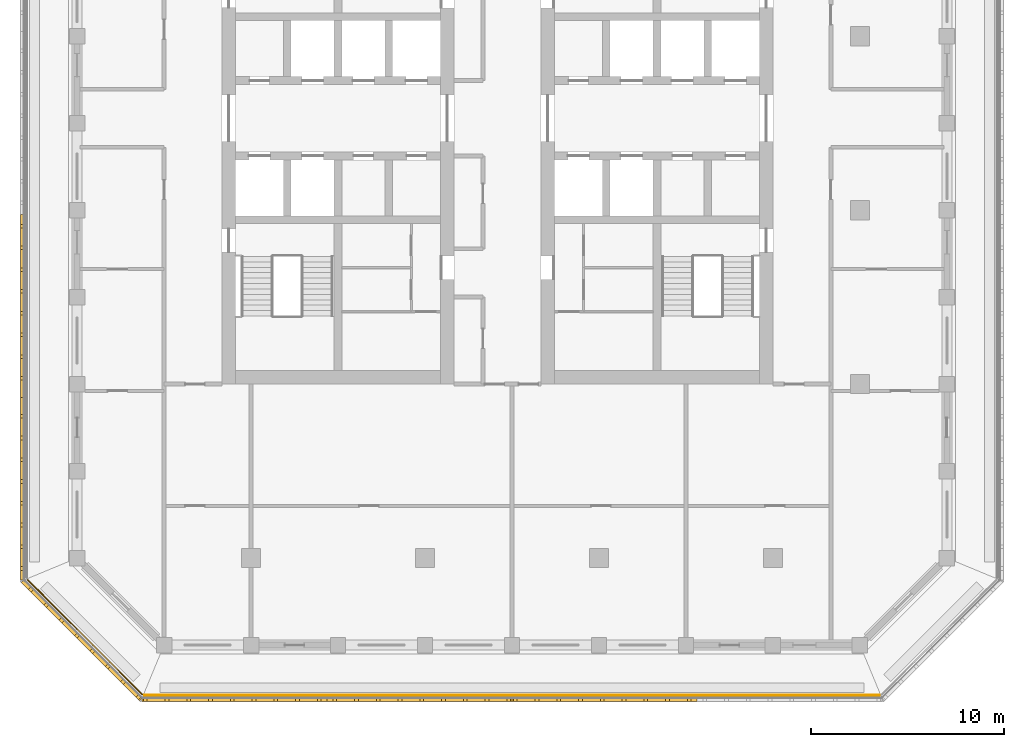
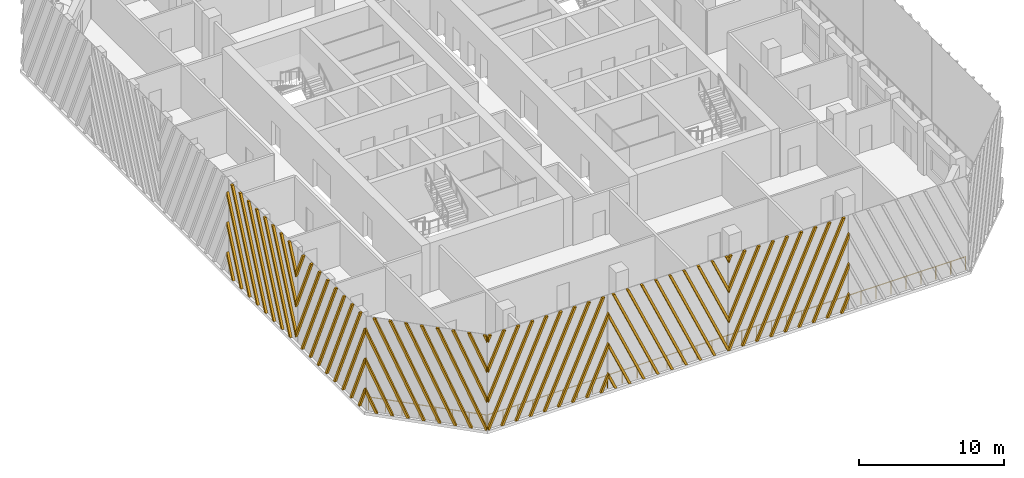
# One storey, part 9 of 17: 6 shading devices, 2 railings.
"""IFC4 building model written with IfcOpenShell, lengths in metres."""

from ifc_helpers import new_model, si_unit, direction, frame, origin, origin_2d, place, context, subcontext, project, spatial, polyline, circle, outline, extrude, source, transform, mapped, material, type_object, element, save


model = new_model("IFC4")

# Units and contexts
model_context = context("Model", 3, precision=1e-05, world=origin(), true_north=direction((0.0, 1.0)))
body_context = subcontext(model_context, "Body", "Model", "MODEL_VIEW")
ifc_project = project(units=[si_unit("LENGTHUNIT", "METRE"), si_unit("AREAUNIT", "SQUARE_METRE"), si_unit("VOLUMEUNIT", "CUBIC_METRE"), si_unit("PLANEANGLEUNIT", "RADIAN"), si_unit("MASSUNIT", "GRAM", prefix="KILO")], contexts=[model_context])

# Site, building, storey
site_placement = place(None, origin())
site = spatial("IfcSite", under=ifc_project, at=site_placement, CompositionType="ELEMENT")
building_placement = place(site_placement, origin())
building = spatial("IfcBuilding", under=site, at=building_placement, Name="Corbel Stack Research Tower", CompositionType="ELEMENT")
storey_placement = place(building_placement, frame((0.0, 0.0, 239.800048828125)))
storey = spatial("IfcBuildingStorey", under=building, at=storey_placement, Name="L54", CompositionType="ELEMENT", Elevation=239.800048828125)

# Railings
ifc_material_1 = material(Name="Powder-coated steel guard", Category="steel")
railing_type = type_object("IfcRailingType", Name="Steel and glass guard 1100", PredefinedType="GUARDRAIL", material=ifc_material_1)
railing_1_placement = place(storey_placement, frame((-14.50537109375, -25.10009765625, 0.0)))
element("IfcRailing", 1, at=railing_1_placement, inside=storey, type_object=railing_type, Name="Loggia guard L54 S", PredefinedType="GUARDRAIL", context=body_context, shape_type="SweptSolid", body=[
    extrude(circle(Radius=0.02392578125, at=origin_2d()), frame((0.0, 0.0, 1.076171875), z_axis=(1.0, 0.0, 0.0), x_axis=(0.0, 1.0, 0.0)), (0.0, 0.0, 1.0), 38.0107421875),
    extrude(circle(Radius=0.02099609375, at=origin_2d()), origin(), (0.0, 0.0, 1.0), 1.052001953125),
    extrude(circle(Radius=0.02099609375, at=origin_2d()), frame((1.187744140625, 0.0, 0.0)), (0.0, 0.0, 1.0), 1.052001953125),
    extrude(circle(Radius=0.02099609375, at=origin_2d()), frame((2.375732421875, 0.0, 0.0)), (0.0, 0.0, 1.0), 1.052001953125),
    extrude(circle(Radius=0.02099609375, at=origin_2d()), frame((3.5634765625, 0.0, 0.0)), (0.0, 0.0, 1.0), 1.052001953125),
    extrude(circle(Radius=0.02099609375, at=origin_2d()), frame((4.75146484375, 0.0, 0.0)), (0.0, 0.0, 1.0), 1.052001953125),
    extrude(circle(Radius=0.02099609375, at=origin_2d()), frame((5.939208984375, 0.0, 0.0)), (0.0, 0.0, 1.0), 1.052001953125),
    extrude(circle(Radius=0.02099609375, at=origin_2d()), frame((7.126953125, 0.0, 0.0)), (0.0, 0.0, 1.0), 1.052001953125),
    extrude(circle(Radius=0.02099609375, at=origin_2d()), frame((8.31494140625, 0.0, 0.0)), (0.0, 0.0, 1.0), 1.052001953125),
    extrude(circle(Radius=0.02099609375, at=origin_2d()), frame((9.502685546875, 0.0, 0.0)), (0.0, 0.0, 1.0), 1.052001953125),
    extrude(circle(Radius=0.02099609375, at=origin_2d()), frame((10.6904296875, 0.0, 0.0)), (0.0, 0.0, 1.0), 1.052001953125),
    extrude(circle(Radius=0.02099609375, at=origin_2d()), frame((11.87841796875, 0.0, 0.0)), (0.0, 0.0, 1.0), 1.052001953125),
    extrude(circle(Radius=0.02099609375, at=origin_2d()), frame((13.066162109375, 0.0, 0.0)), (0.0, 0.0, 1.0), 1.052001953125),
    extrude(circle(Radius=0.02099609375, at=origin_2d()), frame((14.25390625, 0.0, 0.0)), (0.0, 0.0, 1.0), 1.052001953125),
    extrude(circle(Radius=0.02099609375, at=origin_2d()), frame((15.44189453125, 0.0, 0.0)), (0.0, 0.0, 1.0), 1.052001953125),
    extrude(circle(Radius=0.02099609375, at=origin_2d()), frame((16.629638671875, 0.0, 0.0)), (0.0, 0.0, 1.0), 1.052001953125),
    extrude(circle(Radius=0.02099609375, at=origin_2d()), frame((17.817626953125, 0.0, 0.0)), (0.0, 0.0, 1.0), 1.052001953125),
    extrude(circle(Radius=0.02099609375, at=origin_2d()), frame((19.00537109375, 0.0, 0.0)), (0.0, 0.0, 1.0), 1.052001953125),
    extrude(circle(Radius=0.02099609375, at=origin_2d()), frame((20.193115234375, 0.0, 0.0)), (0.0, 0.0, 1.0), 1.052001953125),
    extrude(circle(Radius=0.02099609375, at=origin_2d()), frame((21.381103515625, 0.0, 0.0)), (0.0, 0.0, 1.0), 1.052001953125),
    extrude(circle(Radius=0.02099609375, at=origin_2d()), frame((22.56884765625, 0.0, 0.0)), (0.0, 0.0, 1.0), 1.052001953125),
    extrude(circle(Radius=0.02099609375, at=origin_2d()), frame((23.7568359375, 0.0, 0.0)), (0.0, 0.0, 1.0), 1.052001953125),
    extrude(circle(Radius=0.02099609375, at=origin_2d()), frame((24.944580078125, 0.0, 0.0)), (0.0, 0.0, 1.0), 1.052001953125),
    extrude(circle(Radius=0.02099609375, at=origin_2d()), frame((26.13232421875, 0.0, 0.0)), (0.0, 0.0, 1.0), 1.052001953125),
    extrude(circle(Radius=0.02099609375, at=origin_2d()), frame((27.3203125, 0.0, 0.0)), (0.0, 0.0, 1.0), 1.052001953125),
    extrude(circle(Radius=0.02099609375, at=origin_2d()), frame((28.508056640625, 0.0, 0.0)), (0.0, 0.0, 1.0), 1.052001953125),
    extrude(circle(Radius=0.02099609375, at=origin_2d()), frame((29.69580078125, 0.0, 0.0)), (0.0, 0.0, 1.0), 1.052001953125),
    extrude(circle(Radius=0.02099609375, at=origin_2d()), frame((30.8837890625, 0.0, 0.0)), (0.0, 0.0, 1.0), 1.052001953125),
    extrude(circle(Radius=0.02099609375, at=origin_2d()), frame((32.071533203125, 0.0, 0.0)), (0.0, 0.0, 1.0), 1.052001953125),
    extrude(circle(Radius=0.02099609375, at=origin_2d()), frame((33.25927734375, 0.0, 0.0)), (0.0, 0.0, 1.0), 1.052001953125),
    extrude(circle(Radius=0.02099609375, at=origin_2d()), frame((34.447265625, 0.0, 0.0)), (0.0, 0.0, 1.0), 1.052001953125),
    extrude(circle(Radius=0.02099609375, at=origin_2d()), frame((35.635009765625, 0.0, 0.0)), (0.0, 0.0, 1.0), 1.052001953125),
    extrude(circle(Radius=0.02099609375, at=origin_2d()), frame((36.822998046875, 0.0, 0.0)), (0.0, 0.0, 1.0), 1.052001953125),
    extrude(circle(Radius=0.02099609375, at=origin_2d()), frame((38.0107421875, 0.0, 0.0)), (0.0, 0.0, 1.0), 1.052001953125),
])
railing_2_placement = place(storey_placement, frame((-20.54931640625, -19.127685546875, 0.0)))
element("IfcRailing", 2, at=railing_2_placement, inside=storey, type_object=railing_type, Name="Loggia guard L54 SW", PredefinedType="GUARDRAIL", context=body_context, shape_type="SweptSolid", body=[
    extrude(circle(Radius=0.02392578125, at=origin_2d()), frame((0.0, 0.0, 1.076171875), z_axis=(0.707106781187, -0.707106781187, 0.0), x_axis=(0.707106781187, 0.707106781187, 0.0)), (0.0, 0.0, 1.0), 8.37451171875),
    extrude(circle(Radius=0.02099609375, at=origin_2d()), origin(), (0.0, 0.0, 1.0), 1.052001953125),
    extrude(circle(Radius=0.02099609375, at=origin_2d()), frame((0.845947265625, -0.845947265625, 0.0)), (0.0, 0.0, 1.0), 1.052001953125),
    extrude(circle(Radius=0.02099609375, at=origin_2d()), frame((1.69189453125, -1.69189453125, 0.0)), (0.0, 0.0, 1.0), 1.052001953125),
    extrude(circle(Radius=0.02099609375, at=origin_2d()), frame((2.537841796875, -2.537841796875, 0.0)), (0.0, 0.0, 1.0), 1.052001953125),
    extrude(circle(Radius=0.02099609375, at=origin_2d()), frame((3.3837890625, -3.3837890625, 0.0)), (0.0, 0.0, 1.0), 1.052001953125),
    extrude(circle(Radius=0.02099609375, at=origin_2d()), frame((4.229736328125, -4.229736328125, 0.0)), (0.0, 0.0, 1.0), 1.052001953125),
    extrude(circle(Radius=0.02099609375, at=origin_2d()), frame((5.07568359375, -5.07568359375, 0.0)), (0.0, 0.0, 1.0), 1.052001953125),
    extrude(circle(Radius=0.02099609375, at=origin_2d()), frame((5.921630859375, -5.921630859375, 0.0)), (0.0, 0.0, 1.0), 1.052001953125),
])

# Shading devices
ifc_material_2 = material(Name="Precast terracotta", Category="masonry")
shading_device_type = type_object("IfcShadingDeviceType", Name="Terracotta screen panel", PredefinedType="USERDEFINED", material=ifc_material_2)
shared_shape_1 = source(origin(), body_context, "Body", "SweptSolid", [
    extrude(outline(polyline([(0.259521484375, 7.949951171875), (0.069580078125, 7.949951171875), (0.0, 7.793701171875), (0.0, 7.366943359375), (0.259521484375, 7.949951171875)])), frame((0.0, 0.0, 0.0), z_axis=(0.0, -1.0, 0.0), x_axis=(1.0, 0.0, 0.0)), (0.0, 0.0, 1.0), 0.179931640625),
    extrude(outline(polyline([(1.384521484375, 7.949951171875), (1.194580078125, 7.949951171875), (0.0, 5.26708984375), (0.0, 4.840087890625), (1.384521484375, 7.949951171875)])), frame((0.0, 0.0, 0.0), z_axis=(0.0, -1.0, 0.0), x_axis=(1.0, 0.0, 0.0)), (0.0, 0.0, 1.0), 0.179931640625),
    extrude(outline(polyline([(2.509521484375, 7.949951171875), (2.319580078125, 7.949951171875), (0.0, 2.740234375), (0.0, 2.3134765625), (2.509521484375, 7.949951171875)])), frame((0.0, 0.0, 0.0), z_axis=(0.0, -1.0, 0.0), x_axis=(1.0, 0.0, 0.0)), (0.0, 0.0, 1.0), 0.179931640625),
    extrude(outline(polyline([(0.094970703125, 0.0), (3.634521484375, 7.949951171875), (3.444580078125, 7.949951171875), (0.0, 0.21337890625), (0.0, 0.0), (0.094970703125, 0.0)])), frame((0.0, 0.0, 0.0), z_axis=(0.0, -1.0, 0.0), x_axis=(1.0, 0.0, 0.0)), (0.0, 0.0, 1.0), 0.179931640625),
    extrude(outline(polyline([(1.219970703125, 0.0), (4.759521484375, 7.949951171875), (4.569580078125, 7.949951171875), (1.030029296875, 0.0), (1.219970703125, 0.0)])), frame((0.0, 0.0, 0.0), z_axis=(0.0, -1.0, 0.0), x_axis=(1.0, 0.0, 0.0)), (0.0, 0.0, 1.0), 0.179931640625),
    extrude(outline(polyline([(2.344970703125, 0.0), (5.884521484375, 7.949951171875), (5.694580078125, 7.949951171875), (2.155029296875, 0.0), (2.344970703125, 0.0)])), frame((0.0, 0.0, 0.0), z_axis=(0.0, -1.0, 0.0), x_axis=(1.0, 0.0, 0.0)), (0.0, 0.0, 1.0), 0.179931640625),
    extrude(outline(polyline([(3.469970703125, 0.0), (7.009521484375, 7.949951171875), (6.819580078125, 7.949951171875), (3.280029296875, 0.0), (3.469970703125, 0.0)])), frame((0.0, 0.0, 0.0), z_axis=(0.0, -1.0, 0.0), x_axis=(1.0, 0.0, 0.0)), (0.0, 0.0, 1.0), 0.179931640625),
    extrude(outline(polyline([(4.594970703125, 0.0), (8.134521484375, 7.949951171875), (7.944580078125, 7.949951171875), (4.405029296875, 0.0), (4.594970703125, 0.0)])), frame((0.0, 0.0, 0.0), z_axis=(0.0, -1.0, 0.0), x_axis=(1.0, 0.0, 0.0)), (0.0, 0.0, 1.0), 0.179931640625),
    extrude(outline(polyline([(5.719970703125, 0.0), (9.259521484375, 7.949951171875), (9.069580078125, 7.949951171875), (5.530029296875, 0.0), (5.719970703125, 0.0)])), frame((0.0, 0.0, 0.0), z_axis=(0.0, -1.0, 0.0), x_axis=(1.0, 0.0, 0.0)), (0.0, 0.0, 1.0), 0.179931640625),
    extrude(outline(polyline([(6.844970703125, 0.0), (9.569580078125, 6.119384765625), (9.569580078125, 6.546142578125), (6.655029296875, 0.0), (6.844970703125, 0.0)])), frame((0.0, 0.0, 0.0), z_axis=(0.0, -1.0, 0.0), x_axis=(1.0, 0.0, 0.0)), (0.0, 0.0, 1.0), 0.179931640625),
    extrude(outline(polyline([(7.969970703125, 0.0), (9.569580078125, 3.592529296875), (9.569580078125, 4.019287109375), (7.780029296875, 0.0), (7.969970703125, 0.0)])), frame((0.0, 0.0, 0.0), z_axis=(0.0, -1.0, 0.0), x_axis=(1.0, 0.0, 0.0)), (0.0, 0.0, 1.0), 0.179931640625),
    extrude(outline(polyline([(9.094970703125, 0.0), (9.569580078125, 1.06591796875), (9.569580078125, 1.49267578125), (8.905029296875, 0.0), (9.094970703125, 0.0)])), frame((0.0, 0.0, 0.0), z_axis=(0.0, -1.0, 0.0), x_axis=(1.0, 0.0, 0.0)), (0.0, 0.0, 1.0), 0.179931640625),
])
for number, where, z_axis, x_axis, name in (
    (3, (-14.63916015625, -25.25, 0.0), (0.0, 0.0, 1.0), (1.0, 0.0, 0.0), "Terracotta screen L54 S1"),
    (4, (4.5, -25.25, 0.0), (0.0, 0.0, 1.0), (1.0, 0.0, 0.0), "Terracotta screen L54 S3"),
):
    element("IfcShadingDevice", number, at=place(storey_placement, frame(where, z_axis=z_axis, x_axis=x_axis)), inside=storey, type_object=shading_device_type, Name=name, ObjectType="SCREEN", PredefinedType="USERDEFINED", context=body_context, shape_type="MappedRepresentation", body=[
        mapped(shared_shape_1, transform((0.0, 0.0, 0.0))),
    ])
shared_shape_2 = source(origin(), body_context, "Body", "SweptSolid", [
    extrude(outline(polyline([(0.66455078125, 0.0), (0.0, 1.49267578125), (0.0, 1.06591796875), (0.474609375, 0.0), (0.66455078125, 0.0)])), frame((0.0, 0.0, 0.0), z_axis=(0.0, -1.0, 0.0), x_axis=(1.0, 0.0, 0.0)), (0.0, 0.0, 1.0), 0.179931640625),
    extrude(outline(polyline([(1.78955078125, 0.0), (0.0, 4.019287109375), (0.0, 3.592529296875), (1.599609375, 0.0), (1.78955078125, 0.0)])), frame((0.0, 0.0, 0.0), z_axis=(0.0, -1.0, 0.0), x_axis=(1.0, 0.0, 0.0)), (0.0, 0.0, 1.0), 0.179931640625),
    extrude(outline(polyline([(2.91455078125, 0.0), (0.0, 6.546142578125), (0.0, 6.119384765625), (2.724609375, 0.0), (2.91455078125, 0.0)])), frame((0.0, 0.0, 0.0), z_axis=(0.0, -1.0, 0.0), x_axis=(1.0, 0.0, 0.0)), (0.0, 0.0, 1.0), 0.179931640625),
    extrude(outline(polyline([(4.03955078125, 0.0), (0.5, 7.949951171875), (0.31005859375, 7.949951171875), (3.849609375, 0.0), (4.03955078125, 0.0)])), frame((0.0, 0.0, 0.0), z_axis=(0.0, -1.0, 0.0), x_axis=(1.0, 0.0, 0.0)), (0.0, 0.0, 1.0), 0.179931640625),
    extrude(outline(polyline([(5.16455078125, 0.0), (1.625, 7.949951171875), (1.43505859375, 7.949951171875), (4.974609375, 0.0), (5.16455078125, 0.0)])), frame((0.0, 0.0, 0.0), z_axis=(0.0, -1.0, 0.0), x_axis=(1.0, 0.0, 0.0)), (0.0, 0.0, 1.0), 0.179931640625),
    extrude(outline(polyline([(6.28955078125, 0.0), (2.75, 7.949951171875), (2.56005859375, 7.949951171875), (6.099609375, 0.0), (6.28955078125, 0.0)])), frame((0.0, 0.0, 0.0), z_axis=(0.0, -1.0, 0.0), x_axis=(1.0, 0.0, 0.0)), (0.0, 0.0, 1.0), 0.179931640625),
    extrude(outline(polyline([(7.41455078125, 0.0), (3.875, 7.949951171875), (3.68505859375, 7.949951171875), (7.224609375, 0.0), (7.41455078125, 0.0)])), frame((0.0, 0.0, 0.0), z_axis=(0.0, -1.0, 0.0), x_axis=(1.0, 0.0, 0.0)), (0.0, 0.0, 1.0), 0.179931640625),
    extrude(outline(polyline([(8.53955078125, 0.0), (5.0, 7.949951171875), (4.81005859375, 7.949951171875), (8.349609375, 0.0), (8.53955078125, 0.0)])), frame((0.0, 0.0, 0.0), z_axis=(0.0, -1.0, 0.0), x_axis=(1.0, 0.0, 0.0)), (0.0, 0.0, 1.0), 0.179931640625),
    extrude(outline(polyline([(9.569580078125, 0.0), (9.569580078125, 0.21337890625), (6.125, 7.949951171875), (5.93505859375, 7.949951171875), (9.474609375, 0.0), (9.569580078125, 0.0)])), frame((0.0, 0.0, 0.0), z_axis=(0.0, -1.0, 0.0), x_axis=(1.0, 0.0, 0.0)), (0.0, 0.0, 1.0), 0.179931640625),
    extrude(outline(polyline([(7.25, 7.949951171875), (7.06005859375, 7.949951171875), (9.569580078125, 2.3134765625), (9.569580078125, 2.740234375), (7.25, 7.949951171875)])), frame((0.0, 0.0, 0.0), z_axis=(0.0, -1.0, 0.0), x_axis=(1.0, 0.0, 0.0)), (0.0, 0.0, 1.0), 0.179931640625),
    extrude(outline(polyline([(8.375, 7.949951171875), (8.18505859375, 7.949951171875), (9.569580078125, 4.840087890625), (9.569580078125, 5.26708984375), (8.375, 7.949951171875)])), frame((0.0, 0.0, 0.0), z_axis=(0.0, -1.0, 0.0), x_axis=(1.0, 0.0, 0.0)), (0.0, 0.0, 1.0), 0.179931640625),
    extrude(outline(polyline([(9.5, 7.949951171875), (9.31005859375, 7.949951171875), (9.569580078125, 7.366943359375), (9.569580078125, 7.793701171875), (9.5, 7.949951171875)])), frame((0.0, 0.0, 0.0), z_axis=(0.0, -1.0, 0.0), x_axis=(1.0, 0.0, 0.0)), (0.0, 0.0, 1.0), 0.179931640625),
])
shading_device_1_placement = place(storey_placement, frame((-5.069580078125, -25.25, 0.0), z_axis=(0.0, 0.0, 1.0), x_axis=(1.0, 0.0, 0.0)))
element("IfcShadingDevice", 5, at=shading_device_1_placement, inside=storey, type_object=shading_device_type, Name="Terracotta screen L54 S2", ObjectType="SCREEN", PredefinedType="USERDEFINED", context=body_context, shape_type="MappedRepresentation", body=[
    mapped(shared_shape_2, transform((0.0, 0.0, 0.0))),
])
shared_shape_3 = source(origin(), body_context, "Body", "SweptSolid", [
    extrude(outline(polyline([(0.862060546875, 0.0), (0.0, 1.936279296875), (0.0, 1.509521484375), (0.672119140625, 0.0), (0.862060546875, 0.0)])), frame((0.0, 0.0, 0.0), z_axis=(0.0, -1.0, 0.0), x_axis=(1.0, 0.0, 0.0)), (0.0, 0.0, 1.0), 0.179931640625),
    extrude(outline(polyline([(1.987060546875, 0.0), (0.0, 4.463134765625), (0.0, 4.036376953125), (1.797119140625, 0.0), (1.987060546875, 0.0)])), frame((0.0, 0.0, 0.0), z_axis=(0.0, -1.0, 0.0), x_axis=(1.0, 0.0, 0.0)), (0.0, 0.0, 1.0), 0.179931640625),
    extrude(outline(polyline([(3.112060546875, 0.0), (0.0, 6.989990234375), (0.0, 6.563232421875), (2.922119140625, 0.0), (3.112060546875, 0.0)])), frame((0.0, 0.0, 0.0), z_axis=(0.0, -1.0, 0.0), x_axis=(1.0, 0.0, 0.0)), (0.0, 0.0, 1.0), 0.179931640625),
    extrude(outline(polyline([(4.237060546875, 0.0), (0.697509765625, 7.949951171875), (0.507568359375, 7.949951171875), (4.047119140625, 0.0), (4.237060546875, 0.0)])), frame((0.0, 0.0, 0.0), z_axis=(0.0, -1.0, 0.0), x_axis=(1.0, 0.0, 0.0)), (0.0, 0.0, 1.0), 0.179931640625),
    extrude(outline(polyline([(5.362060546875, 0.0), (1.822509765625, 7.949951171875), (1.632568359375, 7.949951171875), (5.172119140625, 0.0), (5.362060546875, 0.0)])), frame((0.0, 0.0, 0.0), z_axis=(0.0, -1.0, 0.0), x_axis=(1.0, 0.0, 0.0)), (0.0, 0.0, 1.0), 0.179931640625),
    extrude(outline(polyline([(6.487060546875, 0.0), (2.947509765625, 7.949951171875), (2.757568359375, 7.949951171875), (6.297119140625, 0.0), (6.487060546875, 0.0)])), frame((0.0, 0.0, 0.0), z_axis=(0.0, -1.0, 0.0), x_axis=(1.0, 0.0, 0.0)), (0.0, 0.0, 1.0), 0.179931640625),
    extrude(outline(polyline([(7.612060546875, 0.0), (4.072509765625, 7.949951171875), (3.882568359375, 7.949951171875), (7.422119140625, 0.0), (7.612060546875, 0.0)])), frame((0.0, 0.0, 0.0), z_axis=(0.0, -1.0, 0.0), x_axis=(1.0, 0.0, 0.0)), (0.0, 0.0, 1.0), 0.179931640625),
    extrude(outline(polyline([(8.737060546875, 0.0), (5.197509765625, 7.949951171875), (5.007568359375, 7.949951171875), (8.547119140625, 0.0), (8.737060546875, 0.0)])), frame((0.0, 0.0, 0.0), z_axis=(0.0, -1.0, 0.0), x_axis=(1.0, 0.0, 0.0)), (0.0, 0.0, 1.0), 0.179931640625),
    extrude(outline(polyline([(6.322509765625, 7.949951171875), (6.132568359375, 7.949951171875), (9.45556640625, 0.486328125), (9.45556640625, 0.9130859375), (6.322509765625, 7.949951171875)])), frame((0.0, 0.0, 0.0), z_axis=(0.0, -1.0, 0.0), x_axis=(1.0, 0.0, 0.0)), (0.0, 0.0, 1.0), 0.179931640625),
    extrude(outline(polyline([(7.447509765625, 7.949951171875), (7.257568359375, 7.949951171875), (9.45556640625, 3.01318359375), (9.45556640625, 3.439697265625), (7.447509765625, 7.949951171875)])), frame((0.0, 0.0, 0.0), z_axis=(0.0, -1.0, 0.0), x_axis=(1.0, 0.0, 0.0)), (0.0, 0.0, 1.0), 0.179931640625),
    extrude(outline(polyline([(8.572509765625, 7.949951171875), (8.382568359375, 7.949951171875), (9.45556640625, 5.539794921875), (9.45556640625, 5.966552734375), (8.572509765625, 7.949951171875)])), frame((0.0, 0.0, 0.0), z_axis=(0.0, -1.0, 0.0), x_axis=(1.0, 0.0, 0.0)), (0.0, 0.0, 1.0), 0.179931640625),
])
shading_device_2_placement = place(storey_placement, frame((-20.75, -0.227783203125, 0.0), z_axis=(0.0, 0.0, 1.0), x_axis=(0.0, -1.0, 0.0)))
element("IfcShadingDevice", 6, at=shading_device_2_placement, inside=storey, type_object=shading_device_type, Name="Terracotta screen L54 W4", ObjectType="SCREEN", PredefinedType="USERDEFINED", context=body_context, shape_type="MappedRepresentation", body=[
    mapped(shared_shape_3, transform((0.0, 0.0, 0.0))),
])
shared_shape_4 = source(origin(), body_context, "Body", "SweptSolid", [
    extrude(outline(polyline([(1.072998046875, 7.949951171875), (0.883056640625, 7.949951171875), (0.0, 5.966552734375), (0.0, 5.539794921875), (1.072998046875, 7.949951171875)])), frame((0.0, 0.0, 0.0), z_axis=(0.0, -1.0, 0.0), x_axis=(1.0, 0.0, 0.0)), (0.0, 0.0, 1.0), 0.179931640625),
    extrude(outline(polyline([(2.197998046875, 7.949951171875), (2.008056640625, 7.949951171875), (0.0, 3.439697265625), (0.0, 3.01318359375), (2.197998046875, 7.949951171875)])), frame((0.0, 0.0, 0.0), z_axis=(0.0, -1.0, 0.0), x_axis=(1.0, 0.0, 0.0)), (0.0, 0.0, 1.0), 0.179931640625),
    extrude(outline(polyline([(3.322998046875, 7.949951171875), (3.133056640625, 7.949951171875), (0.0, 0.9130859375), (0.0, 0.486328125), (3.322998046875, 7.949951171875)])), frame((0.0, 0.0, 0.0), z_axis=(0.0, -1.0, 0.0), x_axis=(1.0, 0.0, 0.0)), (0.0, 0.0, 1.0), 0.179931640625),
    extrude(outline(polyline([(0.908447265625, 0.0), (4.447998046875, 7.949951171875), (4.258056640625, 7.949951171875), (0.718505859375, 0.0), (0.908447265625, 0.0)])), frame((0.0, 0.0, 0.0), z_axis=(0.0, -1.0, 0.0), x_axis=(1.0, 0.0, 0.0)), (0.0, 0.0, 1.0), 0.179931640625),
    extrude(outline(polyline([(2.033447265625, 0.0), (5.572998046875, 7.949951171875), (5.383056640625, 7.949951171875), (1.843505859375, 0.0), (2.033447265625, 0.0)])), frame((0.0, 0.0, 0.0), z_axis=(0.0, -1.0, 0.0), x_axis=(1.0, 0.0, 0.0)), (0.0, 0.0, 1.0), 0.179931640625),
    extrude(outline(polyline([(3.158447265625, 0.0), (6.697998046875, 7.949951171875), (6.508056640625, 7.949951171875), (2.968505859375, 0.0), (3.158447265625, 0.0)])), frame((0.0, 0.0, 0.0), z_axis=(0.0, -1.0, 0.0), x_axis=(1.0, 0.0, 0.0)), (0.0, 0.0, 1.0), 0.179931640625),
    extrude(outline(polyline([(4.283447265625, 0.0), (7.822998046875, 7.949951171875), (7.633056640625, 7.949951171875), (4.093505859375, 0.0), (4.283447265625, 0.0)])), frame((0.0, 0.0, 0.0), z_axis=(0.0, -1.0, 0.0), x_axis=(1.0, 0.0, 0.0)), (0.0, 0.0, 1.0), 0.179931640625),
    extrude(outline(polyline([(5.408447265625, 0.0), (8.947998046875, 7.949951171875), (8.758056640625, 7.949951171875), (5.218505859375, 0.0), (5.408447265625, 0.0)])), frame((0.0, 0.0, 0.0), z_axis=(0.0, -1.0, 0.0), x_axis=(1.0, 0.0, 0.0)), (0.0, 0.0, 1.0), 0.179931640625),
    extrude(outline(polyline([(6.533447265625, 0.0), (9.45556640625, 6.563232421875), (9.45556640625, 6.989990234375), (6.343505859375, 0.0), (6.533447265625, 0.0)])), frame((0.0, 0.0, 0.0), z_axis=(0.0, -1.0, 0.0), x_axis=(1.0, 0.0, 0.0)), (0.0, 0.0, 1.0), 0.179931640625),
    extrude(outline(polyline([(7.658447265625, 0.0), (9.45556640625, 4.036376953125), (9.45556640625, 4.463134765625), (7.468505859375, 0.0), (7.658447265625, 0.0)])), frame((0.0, 0.0, 0.0), z_axis=(0.0, -1.0, 0.0), x_axis=(1.0, 0.0, 0.0)), (0.0, 0.0, 1.0), 0.179931640625),
    extrude(outline(polyline([(8.783447265625, 0.0), (9.45556640625, 1.509521484375), (9.45556640625, 1.936279296875), (8.593505859375, 0.0), (8.783447265625, 0.0)])), frame((0.0, 0.0, 0.0), z_axis=(0.0, -1.0, 0.0), x_axis=(1.0, 0.0, 0.0)), (0.0, 0.0, 1.0), 0.179931640625),
])
shading_device_3_placement = place(storey_placement, frame((-20.75, -9.68359375, 0.0), z_axis=(0.0, 0.0, 1.0), x_axis=(0.0, -1.0, 0.0)))
element("IfcShadingDevice", 7, at=shading_device_3_placement, inside=storey, type_object=shading_device_type, Name="Terracotta screen L54 W5", ObjectType="SCREEN", PredefinedType="USERDEFINED", context=body_context, shape_type="MappedRepresentation", body=[
    mapped(shared_shape_4, transform((0.0, 0.0, 0.0))),
])
shared_shape_5 = source(origin(), body_context, "Body", "SweptSolid", [
    extrude(outline(polyline([(0.862060546875, 0.0), (0.0, 1.936279296875), (0.0, 1.509521484375), (0.672119140625, 0.0), (0.862060546875, 0.0)])), frame((0.0, 0.0, 0.0), z_axis=(0.0, -1.0, 0.0), x_axis=(1.0, 0.0, 0.0)), (0.0, 0.0, 1.0), 0.179931640625),
    extrude(outline(polyline([(1.987060546875, 0.0), (0.0, 4.463134765625), (0.0, 4.036376953125), (1.797119140625, 0.0), (1.987060546875, 0.0)])), frame((0.0, 0.0, 0.0), z_axis=(0.0, -1.0, 0.0), x_axis=(1.0, 0.0, 0.0)), (0.0, 0.0, 1.0), 0.179931640625),
    extrude(outline(polyline([(3.112060546875, 0.0), (0.0, 6.989990234375), (0.0, 6.563232421875), (2.922119140625, 0.0), (3.112060546875, 0.0)])), frame((0.0, 0.0, 0.0), z_axis=(0.0, -1.0, 0.0), x_axis=(1.0, 0.0, 0.0)), (0.0, 0.0, 1.0), 0.179931640625),
    extrude(outline(polyline([(4.237060546875, 0.0), (0.697509765625, 7.949951171875), (0.507568359375, 7.949951171875), (4.047119140625, 0.0), (4.237060546875, 0.0)])), frame((0.0, 0.0, 0.0), z_axis=(0.0, -1.0, 0.0), x_axis=(1.0, 0.0, 0.0)), (0.0, 0.0, 1.0), 0.179931640625),
    extrude(outline(polyline([(5.362060546875, 0.0), (1.822509765625, 7.949951171875), (1.632568359375, 7.949951171875), (5.172119140625, 0.0), (5.362060546875, 0.0)])), frame((0.0, 0.0, 0.0), z_axis=(0.0, -1.0, 0.0), x_axis=(1.0, 0.0, 0.0)), (0.0, 0.0, 1.0), 0.179931640625),
    extrude(outline(polyline([(6.487060546875, 0.0), (2.947509765625, 7.949951171875), (2.757568359375, 7.949951171875), (6.297119140625, 0.0), (6.487060546875, 0.0)])), frame((0.0, 0.0, 0.0), z_axis=(0.0, -1.0, 0.0), x_axis=(1.0, 0.0, 0.0)), (0.0, 0.0, 1.0), 0.179931640625),
    extrude(outline(polyline([(7.612060546875, 0.0), (4.072509765625, 7.949951171875), (3.882568359375, 7.949951171875), (7.422119140625, 0.0), (7.612060546875, 0.0)])), frame((0.0, 0.0, 0.0), z_axis=(0.0, -1.0, 0.0), x_axis=(1.0, 0.0, 0.0)), (0.0, 0.0, 1.0), 0.179931640625),
    extrude(outline(polyline([(8.64208984375, 0.0), (8.64208984375, 0.21337890625), (5.197509765625, 7.949951171875), (5.007568359375, 7.949951171875), (8.547119140625, 0.0), (8.64208984375, 0.0)])), frame((0.0, 0.0, 0.0), z_axis=(0.0, -1.0, 0.0), x_axis=(1.0, 0.0, 0.0)), (0.0, 0.0, 1.0), 0.179931640625),
    extrude(outline(polyline([(6.322509765625, 7.949951171875), (6.132568359375, 7.949951171875), (8.64208984375, 2.3134765625), (8.64208984375, 2.740234375), (6.322509765625, 7.949951171875)])), frame((0.0, 0.0, 0.0), z_axis=(0.0, -1.0, 0.0), x_axis=(1.0, 0.0, 0.0)), (0.0, 0.0, 1.0), 0.179931640625),
    extrude(outline(polyline([(7.447509765625, 7.949951171875), (7.257568359375, 7.949951171875), (8.64208984375, 4.840087890625), (8.64208984375, 5.26708984375), (7.447509765625, 7.949951171875)])), frame((0.0, 0.0, 0.0), z_axis=(0.0, -1.0, 0.0), x_axis=(1.0, 0.0, 0.0)), (0.0, 0.0, 1.0), 0.179931640625),
    extrude(outline(polyline([(8.572509765625, 7.949951171875), (8.382568359375, 7.949951171875), (8.64208984375, 7.366943359375), (8.64208984375, 7.793701171875), (8.572509765625, 7.949951171875)])), frame((0.0, 0.0, 0.0), z_axis=(0.0, -1.0, 0.0), x_axis=(1.0, 0.0, 0.0)), (0.0, 0.0, 1.0), 0.179931640625),
])
shading_device_4_placement = place(storey_placement, frame((-20.75, -19.13916015625, 0.0), z_axis=(0.0, 0.0, 1.0), x_axis=(0.707106781187, -0.707106781187, 0.0)))
element("IfcShadingDevice", 8, at=shading_device_4_placement, inside=storey, type_object=shading_device_type, Name="Terracotta screen L54 SW1", ObjectType="SCREEN", PredefinedType="USERDEFINED", context=body_context, shape_type="MappedRepresentation", body=[
    mapped(shared_shape_5, transform((0.0, 0.0, 0.0))),
])

save(model, "model.ifc")
